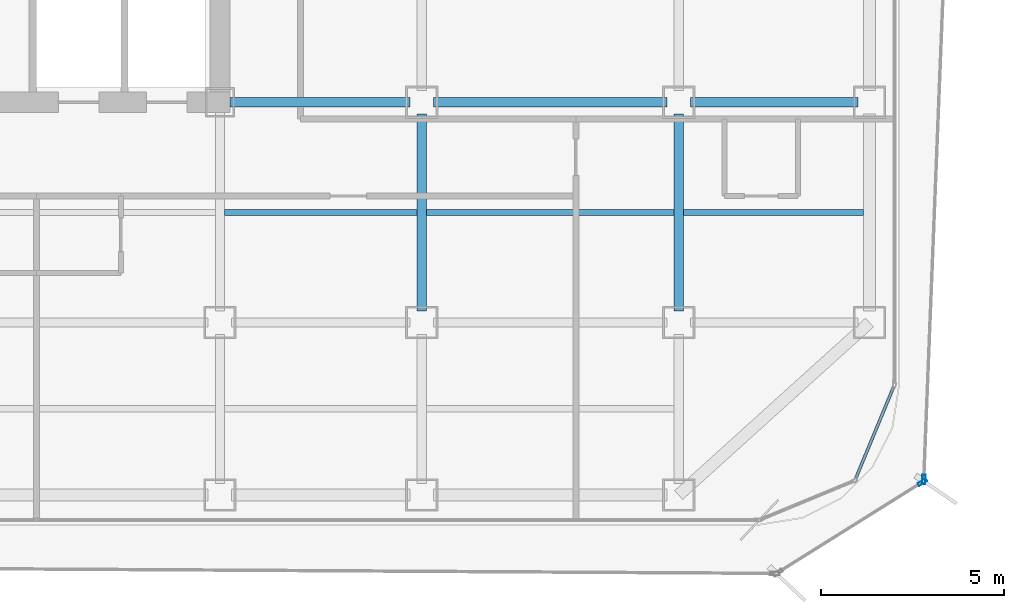
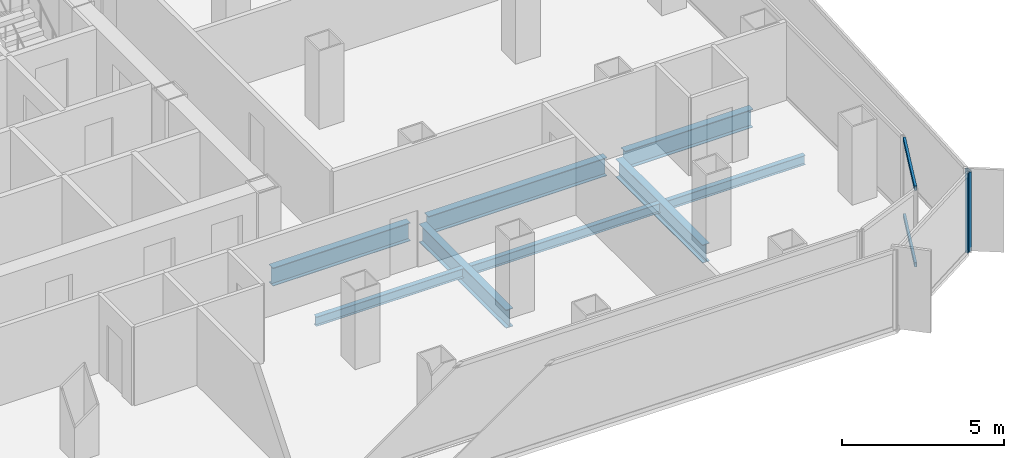
# One storey, part 7 of 21: 8 beams, 4 members, 3 elements without a shape of their own.
"""IFC4 building model written with IfcOpenShell, lengths in metres."""

from ifc_helpers import new_model, si_unit, direction, frame, origin, origin_2d, place, context, subcontext, project, spatial, hollow_rectangle, i_section, extrude, source, transform, mapped, material, layer, layer_set, material_profile, profile_set, type_object, element, aggregate, save


model = new_model("IFC4")

# Units and contexts
model_context = context("Model", 3, precision=1e-05, world=origin(), true_north=direction((0.0, 1.0)))
body_context = subcontext(model_context, "Body", "Model", "MODEL_VIEW")
ifc_project = project(units=[si_unit("LENGTHUNIT", "METRE"), si_unit("AREAUNIT", "SQUARE_METRE"), si_unit("VOLUMEUNIT", "CUBIC_METRE"), si_unit("PLANEANGLEUNIT", "RADIAN"), si_unit("MASSUNIT", "GRAM", prefix="KILO")], contexts=[model_context])

# Site, building, storey
site_placement = place(None, origin())
site = spatial("IfcSite", under=ifc_project, at=site_placement, CompositionType="ELEMENT")
building_placement = place(site_placement, origin())
building = spatial("IfcBuilding", under=site, at=building_placement, Name="Kolveth Station Tower", CompositionType="ELEMENT")
storey_placement = place(building_placement, frame((0.0, 0.0, 137.5)))
storey = spatial("IfcBuildingStorey", under=building, at=storey_placement, Name="L38", CompositionType="ELEMENT", Elevation=137.5)

# Beams
ifc_material_1 = material(Name="Steel S355", Category="steel")
ifc_material_profile_1 = material_profile(ifc_material_1, i_section(OverallWidth=0.25390625, OverallDepth=0.68798828125, WebThickness=0.01318359375, FlangeThickness=0.02099609375, at=origin_2d()), Name="W690x152")
ifc_profile_set_1 = profile_set([ifc_material_profile_1], Name="Steel S355")
beam_type_1 = type_object("IfcBeamType", Name="Beam_B4", PredefinedType="BEAM", material=ifc_profile_set_1)
shared_shape_1 = source(origin(), body_context, "Body", "SweptSolid", [
    extrude(i_section(OverallWidth=0.25390625, OverallDepth=0.68798828125, WebThickness=0.01318359375, FlangeThickness=0.02099609375, at=origin_2d()), origin(), (0.0, 0.0, 1.0), 4.559814453125),
])
beam_1_placement = place(storey_placement, frame((41.320068359375, 11.5, -0.593994140625), z_axis=(1.0, 0.0, 0.0), x_axis=(0.0, 1.0, 0.0)))
element("IfcBeam", 1, at=beam_1_placement, inside=storey, type_object=beam_type_1, Name="L38 Primary Girder BM-L38-GY115-7", PredefinedType="BEAM", context=body_context, shape_type="MappedRepresentation", body=[
    mapped(shared_shape_1, transform((0.0, 0.0, 0.0), x_axis=(1.0, 0.0, 0.0), y_axis=(0.0, 1.0, 0.0), z_axis=(0.0, 0.0, 1.0), scale=1.0)),
])
shared_shape_2 = source(origin(), body_context, "Body", "SweptSolid", [
    extrude(i_section(OverallWidth=0.25390625, OverallDepth=0.68798828125, WebThickness=0.01318359375, FlangeThickness=0.02099609375, at=origin_2d()), origin(), (0.0, 0.0, 1.0), 6.35986328125),
])
beam_2_placement = place(storey_placement, frame((34.320068359375, 11.5, -0.593994140625), z_axis=(1.0, 0.0, 0.0), x_axis=(0.0, 1.0, 0.0)))
element("IfcBeam", 2, at=beam_2_placement, inside=storey, type_object=beam_type_1, Name="L38 Primary Girder BM-L38-GY115-6", PredefinedType="BEAM", context=body_context, shape_type="MappedRepresentation", body=[
    mapped(shared_shape_2, transform((0.0, 0.0, 0.0), x_axis=(1.0, 0.0, 0.0), y_axis=(0.0, 1.0, 0.0), z_axis=(0.0, 0.0, 1.0), scale=1.0)),
])
shared_shape_3 = source(origin(), body_context, "Body", "SweptSolid", [
    extrude(i_section(OverallWidth=0.25390625, OverallDepth=0.68798828125, WebThickness=0.01318359375, FlangeThickness=0.02099609375, at=origin_2d()), origin(), (0.0, 0.0, 1.0), 4.89990234375),
])
beam_3_placement = place(storey_placement, frame((28.780029296875, 11.5, -0.593994140625), z_axis=(1.0, 0.0, 0.0), x_axis=(0.0, 1.0, 0.0)))
element("IfcBeam", 3, at=beam_3_placement, inside=storey, type_object=beam_type_1, Name="L38 Primary Girder BM-L38-GY115-5", PredefinedType="BEAM", context=body_context, shape_type="MappedRepresentation", body=[
    mapped(shared_shape_3, transform((0.0, 0.0, 0.0), x_axis=(1.0, 0.0, 0.0), y_axis=(0.0, 1.0, 0.0), z_axis=(0.0, 0.0, 1.0), scale=1.0)),
])
shared_shape_4 = source(origin(), body_context, "Body", "SweptSolid", [
    extrude(i_section(OverallWidth=0.25390625, OverallDepth=0.68798828125, WebThickness=0.01318359375, FlangeThickness=0.02099609375, at=origin_2d()), origin(), (0.0, 0.0, 1.0), 5.35986328125),
])
for number, where, z_axis, x_axis, name in (
    (4, (34.0, 5.820068359375, -0.593994140625), (0.0, 1.0, 0.0), (-1.0, 0.0, 0.0), "L38 Primary Girder BM-L38-GX340-2"),
    (5, (41.0, 5.820068359375, -0.593994140625), (0.0, 1.0, 0.0), (-1.0, 0.0, 0.0), "L38 Primary Girder BM-L38-GX410-2"),
):
    element("IfcBeam", number, at=place(storey_placement, frame(where, z_axis=z_axis, x_axis=x_axis)), inside=storey, type_object=beam_type_1, Name=name, PredefinedType="BEAM", context=body_context, shape_type="MappedRepresentation", body=[
        mapped(shared_shape_4, transform((0.0, 0.0, 0.0), x_axis=(1.0, 0.0, 0.0), y_axis=(0.0, 1.0, 0.0), z_axis=(0.0, 0.0, 1.0), scale=1.0)),
    ])
ifc_material_profile_2 = material_profile(ifc_material_1, i_section(OverallWidth=0.1708984375, OverallDepth=0.35205078125, WebThickness=0.0068359375, FlangeThickness=0.009765625, at=origin_2d()), Name="W360x44")
ifc_profile_set_2 = profile_set([ifc_material_profile_2], Name="Steel S355")
beam_type_2 = type_object("IfcBeamType", Name="Beam_J2", PredefinedType="JOIST", material=ifc_profile_set_2)
shared_shape_5 = source(origin(), body_context, "Body", "SweptSolid", [
    extrude(i_section(OverallWidth=0.1708984375, OverallDepth=0.35205078125, WebThickness=0.0068359375, FlangeThickness=0.009765625, at=origin_2d()), origin(), (0.0, 0.0, 1.0), 4.9150390625),
])
beam_4_placement = place(storey_placement, frame((41.125, 8.5, -0.426025390625), z_axis=(1.0, 0.0, 0.0), x_axis=(0.0, 1.0, 0.0)))
element("IfcBeam", 6, at=beam_4_placement, inside=storey, type_object=beam_type_2, Name="L38 Secondary Joist JST-L38-7-2", PredefinedType="JOIST", context=body_context, shape_type="MappedRepresentation", body=[
    mapped(shared_shape_5, transform((0.0, 0.0, 0.0), x_axis=(1.0, 0.0, 0.0), y_axis=(0.0, 1.0, 0.0), z_axis=(0.0, 0.0, 1.0), scale=1.0)),
])
shared_shape_6 = source(origin(), body_context, "Body", "SweptSolid", [
    extrude(i_section(OverallWidth=0.1708984375, OverallDepth=0.35205078125, WebThickness=0.0068359375, FlangeThickness=0.009765625, at=origin_2d()), origin(), (0.0, 0.0, 1.0), 6.75),
])
beam_5_placement = place(storey_placement, frame((34.125, 8.5, -0.426025390625), z_axis=(1.0, 0.0, 0.0), x_axis=(0.0, 1.0, 0.0)))
element("IfcBeam", 7, at=beam_5_placement, inside=storey, type_object=beam_type_2, Name="L38 Secondary Joist JST-L38-6-2", PredefinedType="JOIST", context=body_context, shape_type="MappedRepresentation", body=[
    mapped(shared_shape_6, transform((0.0, 0.0, 0.0), x_axis=(1.0, 0.0, 0.0), y_axis=(0.0, 1.0, 0.0), z_axis=(0.0, 0.0, 1.0), scale=1.0)),
])
shared_shape_7 = source(origin(), body_context, "Body", "SweptSolid", [
    extrude(i_section(OverallWidth=0.1708984375, OverallDepth=0.35205078125, WebThickness=0.0068359375, FlangeThickness=0.009765625, at=origin_2d()), origin(), (0.0, 0.0, 1.0), 5.25),
])
beam_6_placement = place(storey_placement, frame((28.625, 8.5, -0.426025390625), z_axis=(1.0, 0.0, 0.0), x_axis=(0.0, 1.0, 0.0)))
element("IfcBeam", 8, at=beam_6_placement, inside=storey, type_object=beam_type_2, Name="L38 Secondary Joist JST-L38-5-2", PredefinedType="JOIST", context=body_context, shape_type="MappedRepresentation", body=[
    mapped(shared_shape_7, transform((0.0, 0.0, 0.0), x_axis=(1.0, 0.0, 0.0), y_axis=(0.0, 1.0, 0.0), z_axis=(0.0, 0.0, 1.0), scale=1.0)),
])

# Curtain wall, members
ifc_material_2 = material(Name="Aluminium 6063-T6 and low-E dark glass", Category="aluminium")
ifc_layer_1 = layer(ifc_material_2, 0.18994140625)
ifc_layer_set_1 = layer_set([ifc_layer_1], Name="Aluminium 6063-T6 and low-E dark glass")
curtain_wall_type_1 = type_object("IfcCurtainWallType", Name="CurtainWall_CW-Z2", PredefinedType="NOTDEFINED", material=ifc_layer_set_1)
curtain_wall_1_placement = place(storey_placement, origin())
curtain_wall_1 = element("IfcCurtainWall", 9, at=curtain_wall_1_placement, inside=storey, type_object=curtain_wall_type_1, Name="L38 Inner Thermal Curtain Wall 2", PredefinedType="NOTDEFINED")
ifc_material_3 = material(Name="Black anodized aluminium 6063-T6", Category="aluminium")
ifc_material_profile_3 = material_profile(ifc_material_3, hollow_rectangle(XDim=0.080078125, YDim=0.169921875, WallThickness=0.0048828125, at=origin_2d()), Name="ALU-80x170x5")
ifc_profile_set_3 = profile_set([ifc_material_profile_3], Name="Black anodized aluminium 6063-T6")
member_type_1 = type_object("IfcMemberType", Name="Transom_TR2", PredefinedType="USERDEFINED", material=ifc_profile_set_3)
shared_shape_8 = source(origin(), body_context, "Body", "SweptSolid", [
    extrude(hollow_rectangle(XDim=0.080078125, YDim=0.169921875, WallThickness=0.0048828125, at=origin_2d()), origin(), (0.0, 0.0, 1.0), 2.656494140625),
])
member_1_placement = place(storey_placement, frame((45.832763671875, 1.271728515625, 0.0400390625), z_axis=(0.382676455475, 0.923882422403, 0.0), x_axis=(-0.923882422403, 0.382676455475, 0.0)))
member_1 = element("IfcMember", 10, at=member_1_placement, type_object=member_type_1, Name="CW-Z2 transom 1.1", ObjectType="TRANSOM", PredefinedType="USERDEFINED", context=body_context, shape_type="MappedRepresentation", body=[
    mapped(shared_shape_8, transform((0.0, 0.0, 0.0), x_axis=(1.0, 0.0, 0.0), y_axis=(0.0, 1.0, 0.0), z_axis=(0.0, 0.0, 1.0), scale=1.0)),
])
member_2_placement = place(storey_placement, frame((45.832763671875, 1.271728515625, 2.909912109375), z_axis=(0.382676455475, 0.923882422403, 0.0), x_axis=(-0.923882422403, 0.382676455475, 0.0)))
member_2 = element("IfcMember", 11, at=member_2_placement, type_object=member_type_1, Name="CW-Z2 transom 1.2", ObjectType="TRANSOM", PredefinedType="USERDEFINED", context=body_context, shape_type="MappedRepresentation", body=[
    mapped(shared_shape_8, transform((0.0, 0.0, 0.0), x_axis=(1.0, 0.0, 0.0), y_axis=(0.0, 1.0, 0.0), z_axis=(0.0, 0.0, 1.0), scale=1.0)),
])
aggregate(curtain_wall_1, [member_1, member_2])

# Curtain wall, member
ifc_material_4 = material(Name="Black anodized aluminium 6063-T6 and dark solar glass", Category="aluminium")
ifc_layer_2 = layer(ifc_material_4, 0.159912109375)
ifc_layer_set_2 = layer_set([ifc_layer_2], Name="Black anodized aluminium 6063-T6 and dark solar glass")
curtain_wall_type_2 = type_object("IfcCurtainWallType", Name="OUTER SKIN CW-OS", PredefinedType="NOTDEFINED", material=ifc_layer_set_2)
curtain_wall_2_placement = place(storey_placement, origin())
curtain_wall_2 = element("IfcCurtainWall", 12, at=curtain_wall_2_placement, inside=storey, type_object=curtain_wall_type_2, Name="L38 Outer Ventilated Skin Curtain Wall 1", PredefinedType="NOTDEFINED")
ifc_material_profile_4 = material_profile(ifc_material_3, hollow_rectangle(XDim=0.090087890625, YDim=0.260009765625, WallThickness=0.0048828125, at=origin_2d()), Name="ALU-90x260x5")
ifc_profile_set_4 = profile_set([ifc_material_profile_4], Name="Black anodized aluminium 6063-T6")
member_type_2 = type_object("IfcMemberType", Name="FIN MULLION ML-OS", PredefinedType="MULLION", material=ifc_profile_set_4)
shared_shape_9 = source(origin(), body_context, "Body", "SweptSolid", [
    extrude(hollow_rectangle(XDim=0.090087890625, YDim=0.260009765625, WallThickness=0.0048828125, at=origin_2d()), origin(), (0.0, 0.0, 1.0), 2.989990234375),
])
member_3_placement = place(storey_placement, frame((47.643310546875, 1.150146484375, 0.0), z_axis=(0.0, 0.0, 1.0), x_axis=(-0.530677617634, 0.847573752627, 0.0)))
member_3 = element("IfcMember", 13, at=member_3_placement, type_object=member_type_2, Name="CW-OS mullion 2", PredefinedType="MULLION", context=body_context, shape_type="MappedRepresentation", body=[
    mapped(shared_shape_9, transform((0.0, 0.0, 0.0), x_axis=(1.0, 0.0, 0.0), y_axis=(0.0, 1.0, 0.0), z_axis=(0.0, 0.0, 1.0), scale=1.0)),
])
aggregate(curtain_wall_2, [member_3])

curtain_wall_3_placement = place(storey_placement, origin())
curtain_wall_3 = element("IfcCurtainWall", 14, at=curtain_wall_3_placement, inside=storey, type_object=curtain_wall_type_2, Name="L38 Outer Ventilated Skin Curtain Wall 2", PredefinedType="NOTDEFINED")
member_4_placement = place(storey_placement, frame((47.68310546875, 1.218994140625, 0.0), z_axis=(0.0, 0.0, 1.0), x_axis=(-0.999208370598, 0.039782309217, 0.0)))
member_4 = element("IfcMember", 15, at=member_4_placement, type_object=member_type_2, Name="CW-OS mullion 1", PredefinedType="MULLION", context=body_context, shape_type="MappedRepresentation", body=[
    mapped(shared_shape_9, transform((0.0, 0.0, 0.0), x_axis=(1.0, 0.0, 0.0), y_axis=(0.0, 1.0, 0.0), z_axis=(0.0, 0.0, 1.0), scale=1.0)),
])
aggregate(curtain_wall_3, [member_4])

save(model, "model.ifc")
